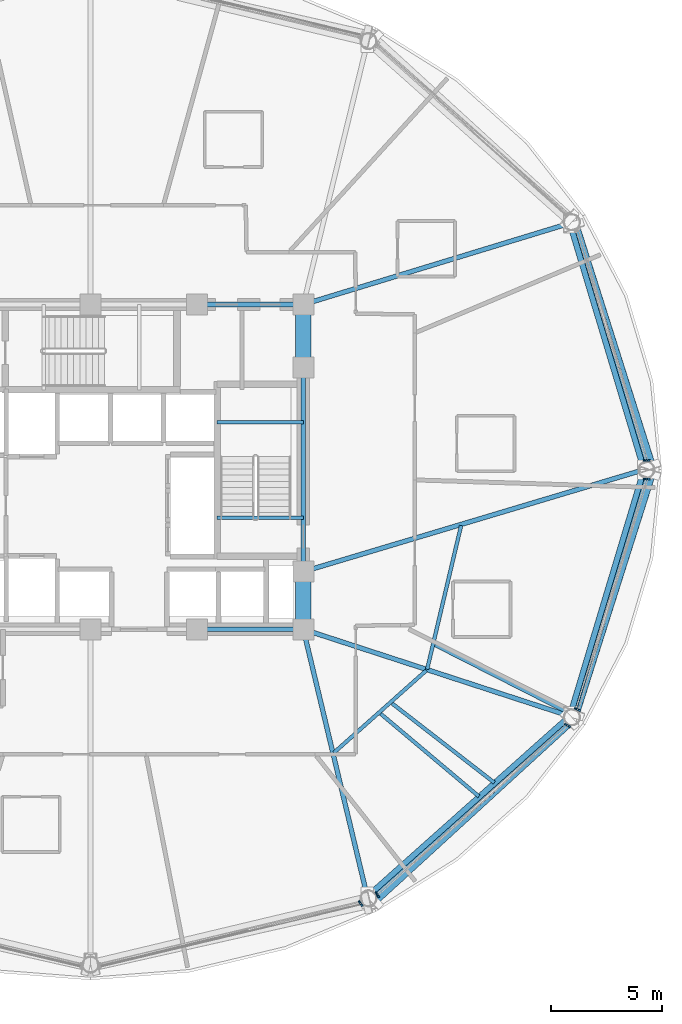
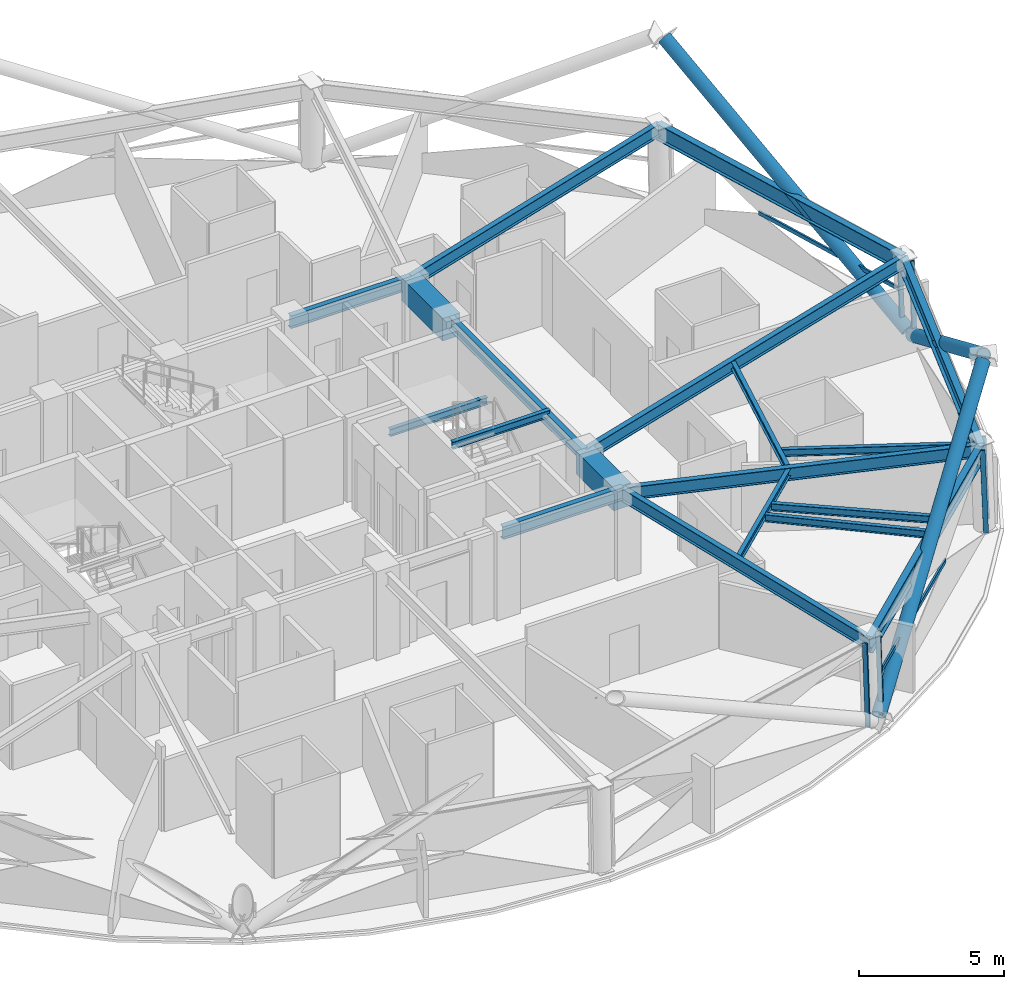
# One storey, part 4 of 15: 19 beams, 12 members, 4 elements without a shape of their own.
"""IFC4 building model written with IfcOpenShell, lengths in metres."""

from ifc_helpers import new_model, si_unit, direction, frame, origin, origin_2d, place, context, subcontext, project, spatial, rectangle, hollow_rectangle, hollow_circle, i_section, extrude, material, layer, layer_set, material_profile, profile_set, type_object, element, aggregate, save


model = new_model("IFC4")

# Units and contexts
model_context = context("Model", 3, precision=1e-05, world=origin(), true_north=direction((0.0, 1.0)))
body_context = subcontext(model_context, "Body", "Model", "MODEL_VIEW")
ifc_project = project(units=[si_unit("LENGTHUNIT", "METRE"), si_unit("AREAUNIT", "SQUARE_METRE"), si_unit("VOLUMEUNIT", "CUBIC_METRE"), si_unit("PLANEANGLEUNIT", "RADIAN"), si_unit("MASSUNIT", "GRAM", prefix="KILO")], contexts=[model_context])

# Site, building, storey
site_placement = place(None, origin())
site = spatial("IfcSite", under=ifc_project, at=site_placement, CompositionType="ELEMENT")
building_placement = place(site_placement, origin())
building = spatial("IfcBuilding", under=site, at=building_placement, Name="Vantalir Tower", CompositionType="ELEMENT")
storey_placement = place(building_placement, frame((0.0, 0.0, 134.699951171875)))
storey = spatial("IfcBuildingStorey", under=building, at=storey_placement, Name="L33", CompositionType="ELEMENT", Elevation=134.699951171875)

# Beams
ifc_material_1 = material(Name="Concrete C60/75", Category="concrete")
ifc_material_profile_1 = material_profile(ifc_material_1, rectangle(XDim=0.699951171875, YDim=0.949951171875, at=origin_2d()), Name="Concrete C60/75")
ifc_profile_set_1 = profile_set([ifc_material_profile_1], Name="Concrete C60/75")
beam_type_1 = type_object("IfcBeamType", Name="BM-CB-700x950", PredefinedType="USERDEFINED", material=ifc_profile_set_1)
beam_1_placement = place(storey_placement, frame((41.10009765625, 17.800048828125, 3.094970703125), z_axis=(0.0, 1.0, 0.0), x_axis=(-1.0, 0.0, 0.0)))
element("IfcBeam", 1, at=beam_1_placement, inside=storey, type_object=beam_type_1, Name="L33 Core Coupling Girder 05", ObjectType="GIRDER", PredefinedType="USERDEFINED", context=body_context, shape_type="SweptSolid", body=[
    extrude(rectangle(XDim=0.699951171875, YDim=0.949951171875, at=origin_2d()), origin(), (0.0, 0.0, 1.0), 2.599853515625),
])
beam_2_placement = place(storey_placement, frame((41.10009765625, 29.60009765625, 3.094970703125), z_axis=(0.0, 1.0, 0.0), x_axis=(-1.0, 0.0, 0.0)))
element("IfcBeam", 2, at=beam_2_placement, inside=storey, type_object=beam_type_1, Name="L33 Core Coupling Girder 07", ObjectType="GIRDER", PredefinedType="USERDEFINED", context=body_context, shape_type="SweptSolid", body=[
    extrude(rectangle(XDim=0.699951171875, YDim=0.949951171875, at=origin_2d()), origin(), (0.0, 0.0, 1.0), 2.849853515625),
])
ifc_material_2 = material(Name="Steel S355", Category="steel")
ifc_material_profile_2 = material_profile(ifc_material_2, i_section(OverallWidth=0.166015625, OverallDepth=0.306884765625, WebThickness=0.006591796875, FlangeThickness=0.01171875, at=origin_2d()), Name="Steel S355")
ifc_profile_set_2 = profile_set([ifc_material_profile_2], Name="Steel S355")
beam_type_2 = type_object("IfcBeamType", Name="BM-JS-305x165", PredefinedType="JOIST", material=ifc_profile_set_2)
for number, where, z_axis, x_axis, name in (
    (3, (37.2099609375, 22.8349609375, 3.595947265625), (1.0, 0.0, 0.0), (0.0, 1.0, 0.0), "L34 Stair ST2 Well Nosing Trimmer Beam"),
    (4, (37.2099609375, 27.14501953125, 1.52197265625), (1.0, 0.0, 0.0), (0.0, 1.0, 0.0), "L33 Stair ST2 Half-Landing Support Beam"),
):
    element("IfcBeam", number, at=place(storey_placement, frame(where, z_axis=z_axis, x_axis=x_axis)), inside=storey, type_object=beam_type_2, Name=name, PredefinedType="JOIST", context=body_context, shape_type="SweptSolid", body=[
        extrude(i_section(OverallWidth=0.166015625, OverallDepth=0.306884765625, WebThickness=0.006591796875, FlangeThickness=0.01171875, at=origin_2d()), origin(), (0.0, 0.0, 1.0), 3.89013671875),
    ])
beam_3_placement = place(storey_placement, frame((42.48095703125, 12.23291015625, 3.3359375), z_axis=(0.746819569965, 0.665026713686, 0.0), x_axis=(-0.665026713686, 0.746819569965, 0.0)))
element("IfcBeam", 5, at=beam_3_placement, inside=storey, type_object=beam_type_2, Name="L33 Sky Garden SG2 Planter Sub-Girder 1", PredefinedType="JOIST", context=body_context, shape_type="SweptSolid", body=[
    extrude(i_section(OverallWidth=0.166015625, OverallDepth=0.306884765625, WebThickness=0.006591796875, FlangeThickness=0.01171875, at=origin_2d()), origin(), (0.0, 0.0, 1.0), 5.57568359375),
])
beam_4_placement = place(storey_placement, frame((46.68603515625, 15.9951171875, 3.3359375), z_axis=(0.229944052837, 0.97320384944, 0.0), x_axis=(-0.97320384944, 0.229944052837, 0.0)))
element("IfcBeam", 6, at=beam_4_placement, inside=storey, type_object=beam_type_2, Name="L33 Sky Garden SG2 Planter Sub-Girder 2", PredefinedType="JOIST", context=body_context, shape_type="SweptSolid", body=[
    extrude(i_section(OverallWidth=0.166015625, OverallDepth=0.306884765625, WebThickness=0.006591796875, FlangeThickness=0.01171875, at=origin_2d()), origin(), (0.0, 0.0, 1.0), 6.662353515625),
])
beam_5_placement = place(storey_placement, frame((44.592041015625, 13.987060546875, 3.3359375), z_axis=(0.765188832514, -0.643805910656, 0.0), x_axis=(0.643805910656, 0.765188832514, 0.0)))
element("IfcBeam", 7, at=beam_5_placement, inside=storey, type_object=beam_type_2, Name="L33 Sky Garden SG2 Pier Tie Beam M1", PredefinedType="JOIST", context=body_context, shape_type="SweptSolid", body=[
    extrude(i_section(OverallWidth=0.166015625, OverallDepth=0.306884765625, WebThickness=0.006591796875, FlangeThickness=0.01171875, at=origin_2d()), origin(), (0.0, 0.0, 1.0), 5.79052734375),
])
beam_6_placement = place(storey_placement, frame((45.111083984375, 14.449951171875, 3.3359375), z_axis=(0.790314619389, -0.612701234192, 0.0), x_axis=(0.612701234192, 0.790314619389, 0.0)))
element("IfcBeam", 8, at=beam_6_placement, inside=storey, type_object=beam_type_2, Name="L33 Sky Garden SG2 Pier Tie Beam M2", PredefinedType="JOIST", context=body_context, shape_type="SweptSolid", body=[
    extrude(i_section(OverallWidth=0.166015625, OverallDepth=0.306884765625, WebThickness=0.006591796875, FlangeThickness=0.01171875, at=origin_2d()), origin(), (0.0, 0.0, 1.0), 5.82666015625),
])
beam_7_placement = place(storey_placement, frame((47.0400390625, 17.093994140625, 3.3359375), z_axis=(0.891341837577, -0.453331808485, 0.0), x_axis=(0.453331808485, 0.891341837577, 0.0)))
element("IfcBeam", 9, at=beam_7_placement, inside=storey, type_object=beam_type_2, Name="L33 Sky Garden SG2 Pier Tie Beam T2", PredefinedType="JOIST", context=body_context, shape_type="SweptSolid", body=[
    extrude(i_section(OverallWidth=0.166015625, OverallDepth=0.306884765625, WebThickness=0.006591796875, FlangeThickness=0.01171875, at=origin_2d()), origin(), (0.0, 0.0, 1.0), 6.835693359375),
])
ifc_material_profile_3 = material_profile(ifc_material_2, i_section(OverallWidth=0.2109375, OverallDepth=0.5390625, WebThickness=0.01171875, FlangeThickness=0.018798828125, at=origin_2d()), Name="Steel S355")
ifc_profile_set_3 = profile_set([ifc_material_profile_3], Name="Steel S355")
beam_type_3 = type_object("IfcBeamType", Name="BM-RB-533x210", PredefinedType="BEAM", material=ifc_profile_set_3)
beam_8_placement = place(storey_placement, frame((36.300048828125, 17.800048828125, 3.301025390625), z_axis=(1.0, 0.0, 0.0), x_axis=(0.0, 1.0, 0.0)))
element("IfcBeam", 10, at=beam_8_placement, inside=storey, type_object=beam_type_3, Name="L33 Core Coupling Girder 04", PredefinedType="BEAM", context=body_context, shape_type="SweptSolid", body=[
    extrude(i_section(OverallWidth=0.2109375, OverallDepth=0.5390625, WebThickness=0.01171875, FlangeThickness=0.018798828125, at=origin_2d()), origin(), (0.0, 0.0, 1.0), 4.800048828125),
])
beam_9_placement = place(storey_placement, frame((41.10009765625, 20.39990234375, 3.301025390625), z_axis=(0.0, 1.0, 0.0), x_axis=(-1.0, 0.0, 0.0)))
element("IfcBeam", 11, at=beam_9_placement, inside=storey, type_object=beam_type_3, Name="L33 Core Coupling Girder 06", PredefinedType="BEAM", context=body_context, shape_type="SweptSolid", body=[
    extrude(i_section(OverallWidth=0.2109375, OverallDepth=0.5390625, WebThickness=0.01171875, FlangeThickness=0.018798828125, at=origin_2d()), origin(), (0.0, 0.0, 1.0), 9.2001953125),
])
beam_10_placement = place(storey_placement, frame((41.10009765625, 32.449951171875, 3.301025390625), z_axis=(-1.0, 0.0, 0.0), x_axis=(0.0, -1.0, 0.0)))
element("IfcBeam", 12, at=beam_10_placement, inside=storey, type_object=beam_type_3, Name="L33 Core Coupling Girder 08", PredefinedType="BEAM", context=body_context, shape_type="SweptSolid", body=[
    extrude(i_section(OverallWidth=0.2109375, OverallDepth=0.5390625, WebThickness=0.01171875, FlangeThickness=0.018798828125, at=origin_2d()), origin(), (0.0, 0.0, 1.0), 4.800048828125),
])
beam_11_placement = place(storey_placement, frame((56.468994140625, 25.0, 3.301025390625), z_axis=(-0.95800745753, -0.286743284694, 0.0), x_axis=(0.286743284694, -0.95800745753, 0.0)))
element("IfcBeam", 13, at=beam_11_placement, inside=storey, type_object=beam_type_3, Name="L33 Radial Floor Beam 01", PredefinedType="BEAM", context=body_context, shape_type="SweptSolid", body=[
    extrude(i_section(OverallWidth=0.2109375, OverallDepth=0.5390625, WebThickness=0.01171875, FlangeThickness=0.018798828125, at=origin_2d()), origin(), (0.0, 0.0, 1.0), 16.04248046875),
])
beam_12_placement = place(storey_placement, frame((53.1240234375, 36.116943359375, 3.301025390625), z_axis=(-0.956506725428, -0.291710274435, 0.0), x_axis=(0.291710274435, -0.956506725428, 0.0)))
element("IfcBeam", 14, at=beam_12_placement, inside=storey, type_object=beam_type_3, Name="L33 Radial Floor Beam 02", PredefinedType="BEAM", context=body_context, shape_type="SweptSolid", body=[
    extrude(i_section(OverallWidth=0.2109375, OverallDepth=0.5390625, WebThickness=0.01171875, FlangeThickness=0.018798828125, at=origin_2d()), origin(), (0.0, 0.0, 1.0), 12.570556640625),
])
beam_13_placement = place(storey_placement, frame((43.985107421875, 5.743896484375, 3.260009765625), z_axis=(-0.232727102001, 0.972542079292, 0.0), x_axis=(-0.972542079292, -0.232727102001, 0.0)))
element("IfcBeam", 15, at=beam_13_placement, inside=storey, type_object=beam_type_3, Name="L33 Radial Floor Beam 11", PredefinedType="BEAM", context=body_context, shape_type="SweptSolid", body=[
    extrude(i_section(OverallWidth=0.2109375, OverallDepth=0.5390625, WebThickness=0.01171875, FlangeThickness=0.018798828125, at=origin_2d()), origin(), (0.0, 0.0, 1.0), 12.396484375),
])
beam_14_placement = place(storey_placement, frame((53.1240234375, 13.882080078125, 3.260009765625), z_axis=(-0.950796862904, 0.309814985906, 0.0), x_axis=(-0.309814985906, -0.950796862904, 0.0)))
element("IfcBeam", 16, at=beam_14_placement, inside=storey, type_object=beam_type_3, Name="L33 Radial Floor Beam 12", PredefinedType="BEAM", context=body_context, shape_type="SweptSolid", body=[
    extrude(i_section(OverallWidth=0.2109375, OverallDepth=0.5390625, WebThickness=0.01171875, FlangeThickness=0.018798828125, at=origin_2d()), origin(), (0.0, 0.0, 1.0), 12.646240234375),
])
ifc_material_3 = material(Name="Steel S460", Category="steel")
ifc_material_profile_4 = material_profile(ifc_material_3, i_section(OverallWidth=0.256103515625, OverallDepth=0.693115234375, WebThickness=0.014404296875, FlangeThickness=0.023681640625, at=origin_2d()), Name="Steel S460")
ifc_profile_set_4 = profile_set([ifc_material_profile_4], Name="Steel S460")
beam_type_4 = type_object("IfcBeamType", Name="BM-RG-686x254", PredefinedType="USERDEFINED", material=ifc_profile_set_4)
beam_15_placement = place(storey_placement, frame((56.468994140625, 25.0, 3.22412109375), z_axis=(-0.288129172108, 0.957591551853, 0.0), x_axis=(-0.957591551853, -0.288129172108, 0.0)))
element("IfcBeam", 17, at=beam_15_placement, inside=storey, type_object=beam_type_4, Name="L33 Circumferential Ring Girder 01", ObjectType="GIRDER", PredefinedType="USERDEFINED", context=body_context, shape_type="SweptSolid", body=[
    extrude(i_section(OverallWidth=0.256103515625, OverallDepth=0.693115234375, WebThickness=0.014404296875, FlangeThickness=0.023681640625, at=origin_2d()), origin(), (0.0, 0.0, 1.0), 11.609375),
])
beam_16_placement = place(storey_placement, frame((43.985107421875, 5.743896484375, 3.18408203125), z_axis=(0.746812424308, 0.665034738115, 0.0), x_axis=(-0.665034738115, 0.746812424308, 0.0)))
element("IfcBeam", 18, at=beam_16_placement, inside=storey, type_object=beam_type_4, Name="L33 Circumferential Ring Girder 11", ObjectType="GIRDER", PredefinedType="USERDEFINED", context=body_context, shape_type="SweptSolid", body=[
    extrude(i_section(OverallWidth=0.256103515625, OverallDepth=0.693115234375, WebThickness=0.014404296875, FlangeThickness=0.023681640625, at=origin_2d()), origin(), (0.0, 0.0, 1.0), 12.2373046875),
])
beam_17_placement = place(storey_placement, frame((53.1240234375, 13.882080078125, 3.18408203125), z_axis=(0.288105964569, 0.95759853445, 0.0), x_axis=(-0.95759853445, 0.288105964569, 0.0)))
element("IfcBeam", 19, at=beam_17_placement, inside=storey, type_object=beam_type_4, Name="L33 Circumferential Ring Girder 12", ObjectType="GIRDER", PredefinedType="USERDEFINED", context=body_context, shape_type="SweptSolid", body=[
    extrude(i_section(OverallWidth=0.256103515625, OverallDepth=0.693115234375, WebThickness=0.014404296875, FlangeThickness=0.023681640625, at=origin_2d()), origin(), (0.0, 0.0, 1.0), 11.610107421875),
])

# Curtain wall, member
ifc_material_4 = material(Name="Champagne-silver PVDF aluminium and double-silver Low-E glass", Category="aluminium")
ifc_layer = layer(ifc_material_4, 0.199951171875)
ifc_layer_set = layer_set([ifc_layer], Name="Champagne-silver PVDF aluminium and double-silver Low-E glass")
curtain_wall_type = type_object("IfcCurtainWallType", Name="CW-DIAMOND-Z2", PredefinedType="USERDEFINED", material=ifc_layer_set)
curtain_wall_1_placement = place(storey_placement, origin())
curtain_wall_1 = element("IfcCurtainWall", 20, at=curtain_wall_1_placement, inside=storey, type_object=curtain_wall_type, Name="L33 Quilted Pyramid-Diamond Curtain Wall S01", ObjectType="UNITISED CURTAIN WALL", PredefinedType="USERDEFINED")
ifc_material_5 = material(Name="Champagne-silver PVDF aluminium 6063-T6", Category="aluminium")
ifc_material_profile_5 = material_profile(ifc_material_5, hollow_rectangle(XDim=0.074951171875, YDim=0.179931640625, WallThickness=0.00390625, at=origin_2d()), Name="Champagne-silver PVDF aluminium 6063-T6")
ifc_profile_set_5 = profile_set([ifc_material_profile_5], Name="Champagne-silver PVDF aluminium 6063-T6")
member_type_1 = type_object("IfcMemberType", Name="CWM-180x75", PredefinedType="MULLION", material=ifc_profile_set_5)
member_1_placement = place(storey_placement, frame((56.656005859375, 25.4208984375, 0.045166015625), z_axis=(-0.035616506926, 0.0, 0.999365530942), x_axis=(0.0, -1.0, 0.0)))
member_1 = element("IfcMember", 21, at=member_1_placement, type_object=member_type_1, Name="CW-L33-S01 Mullion 1", PredefinedType="MULLION", context=body_context, shape_type="SweptSolid", body=[
    extrude(hollow_rectangle(XDim=0.074951171875, YDim=0.179931640625, WallThickness=0.00390625, at=origin_2d()), origin(), (0.0, 0.0, 1.0), 3.482177734375),
])

curtain_wall_2_placement = place(storey_placement, origin())
curtain_wall_2 = element("IfcCurtainWall", 22, at=curtain_wall_2_placement, inside=storey, type_object=curtain_wall_type, Name="L33 Quilted Pyramid-Diamond Curtain Wall S10", ObjectType="UNITISED CURTAIN WALL", PredefinedType="USERDEFINED")
member_2_placement = place(storey_placement, frame((43.714111328125, 5.382080078125, 0.045166015625), z_axis=(-0.017810101984, 0.02727610107, 0.99946926645), x_axis=(-0.837310723629, -0.546727310545, 0.0)))
member_2 = element("IfcMember", 23, at=member_2_placement, type_object=member_type_1, Name="CW-L33-S10 Mullion 2", PredefinedType="MULLION", context=body_context, shape_type="SweptSolid", body=[
    extrude(hollow_rectangle(XDim=0.074951171875, YDim=0.179931640625, WallThickness=0.00390625, at=origin_2d()), origin(), (0.0, 0.0, 1.0), 3.48193359375),
])
aggregate(curtain_wall_2, [member_2])

# Curtain wall, members
curtain_wall_3_placement = place(storey_placement, origin())
curtain_wall_3 = element("IfcCurtainWall", 24, at=curtain_wall_3_placement, inside=storey, type_object=curtain_wall_type, Name="L33 Quilted Pyramid-Diamond Curtain Wall S11", ObjectType="UNITISED CURTAIN WALL", PredefinedType="USERDEFINED")
member_3_placement = place(storey_placement, frame((44.469970703125, 5.777099609375, 0.045166015625), z_axis=(-0.017810101984, 0.02727610107, 0.99946926645), x_axis=(-0.837310723629, -0.546727310545, 0.0)))
member_3 = element("IfcMember", 25, at=member_3_placement, type_object=member_type_1, Name="CW-L33-S11 Mullion 1", PredefinedType="MULLION", context=body_context, shape_type="SweptSolid", body=[
    extrude(hollow_rectangle(XDim=0.074951171875, YDim=0.179931640625, WallThickness=0.00390625, at=origin_2d()), origin(), (0.0, 0.0, 1.0), 3.48193359375),
])
member_4_placement = place(storey_placement, frame((53.068115234375, 13.43896484375, 0.045166015625), z_axis=(-0.031060130958, 0.015775461548, 0.999393017325), x_axis=(-0.452840062029, -0.891591766573, 0.0)))
member_4 = element("IfcMember", 26, at=member_4_placement, type_object=member_type_1, Name="CW-L33-S11 Mullion 2", PredefinedType="MULLION", context=body_context, shape_type="SweptSolid", body=[
    extrude(hollow_rectangle(XDim=0.074951171875, YDim=0.179931640625, WallThickness=0.00390625, at=origin_2d()), origin(), (0.0, 0.0, 1.0), 3.482177734375),
])

curtain_wall_4_placement = place(storey_placement, origin())
curtain_wall_4 = element("IfcCurtainWall", 27, at=curtain_wall_4_placement, inside=storey, type_object=curtain_wall_type, Name="L33 Quilted Pyramid-Diamond Curtain Wall S12", ObjectType="UNITISED CURTAIN WALL", PredefinedType="USERDEFINED")
member_5_placement = place(storey_placement, frame((53.52294921875, 14.153076171875, 0.045166015625), z_axis=(-0.030990085207, 0.015775495863, 0.999395191278), x_axis=(-0.453653926964, -0.891177936525, 0.0)))
member_5 = element("IfcMember", 28, at=member_5_placement, type_object=member_type_1, Name="CW-L33-S12 Mullion 1", PredefinedType="MULLION", context=body_context, shape_type="SweptSolid", body=[
    extrude(hollow_rectangle(XDim=0.074951171875, YDim=0.179931640625, WallThickness=0.00390625, at=origin_2d()), origin(), (0.0, 0.0, 1.0), 3.482177734375),
])
member_6_placement = place(storey_placement, frame((56.656005859375, 24.5791015625, 0.045166015625), z_axis=(-0.035616506926, 0.0, 0.999365530942), x_axis=(0.0, -1.0, 0.0)))
member_6 = element("IfcMember", 29, at=member_6_placement, type_object=member_type_1, Name="CW-L33-S12 Mullion 2", PredefinedType="MULLION", context=body_context, shape_type="SweptSolid", body=[
    extrude(hollow_rectangle(XDim=0.074951171875, YDim=0.179931640625, WallThickness=0.00390625, at=origin_2d()), origin(), (0.0, 0.0, 1.0), 3.482177734375),
])

# Member
ifc_material_profile_6 = material_profile(ifc_material_5, hollow_rectangle(XDim=0.074951171875, YDim=0.159912109375, WallThickness=0.00390625, at=origin_2d()), Name="Champagne-silver PVDF aluminium 6063-T6")
ifc_profile_set_6 = profile_set([ifc_material_profile_6], Name="Champagne-silver PVDF aluminium 6063-T6")
member_type_2 = type_object("IfcMemberType", Name="CWT-160x75", PredefinedType="USERDEFINED", material=ifc_profile_set_6)
member_7_placement = place(storey_placement, frame((56.593994140625, 25.4208984375, 1.78515625), z_axis=(-0.284498291334, 0.95867654724, 0.0), x_axis=(-0.95867654724, -0.284498291334, 0.0)))
member_7 = element("IfcMember", 30, at=member_7_placement, type_object=member_type_2, Name="CW-L33-S01 Pyramid Fold Ridge Transom", ObjectType="TRANSOM", PredefinedType="USERDEFINED", context=body_context, shape_type="SweptSolid", body=[
    extrude(hollow_rectangle(XDim=0.074951171875, YDim=0.159912109375, WallThickness=0.00390625, at=origin_2d()), origin(), (0.0, 0.0, 1.0), 6.731201171875),
])

aggregate(curtain_wall_1, [member_1, member_7])

member_8_placement = place(storey_placement, frame((44.43896484375, 5.823974609375, 1.78515625), z_axis=(0.748666883824, 0.662946375709, 0.0), x_axis=(-0.662946375709, 0.748666883824, 0.0)))
member_8 = element("IfcMember", 31, at=member_8_placement, type_object=member_type_2, Name="CW-L33-S11 Pyramid Fold Ridge Transom", ObjectType="TRANSOM", PredefinedType="USERDEFINED", context=body_context, shape_type="SweptSolid", body=[
    extrude(hollow_rectangle(XDim=0.074951171875, YDim=0.159912109375, WallThickness=0.00390625, at=origin_2d()), origin(), (0.0, 0.0, 1.0), 7.1259765625),
])

aggregate(curtain_wall_3, [member_3, member_4, member_8])

member_9_placement = place(storey_placement, frame((53.468994140625, 14.180908203125, 1.78515625), z_axis=(0.293287319911, 0.956024344868, 0.0), x_axis=(-0.956024344868, 0.293287319911, 0.0)))
member_9 = element("IfcMember", 32, at=member_9_placement, type_object=member_type_2, Name="CW-L33-S12 Pyramid Fold Ridge Transom", ObjectType="TRANSOM", PredefinedType="USERDEFINED", context=body_context, shape_type="SweptSolid", body=[
    extrude(hollow_rectangle(XDim=0.074951171875, YDim=0.159912109375, WallThickness=0.00390625, at=origin_2d()), origin(), (0.0, 0.0, 1.0), 4.12548828125),
])

aggregate(curtain_wall_4, [member_5, member_6, member_9])

# Members
ifc_material_profile_7 = material_profile(ifc_material_3, hollow_circle(Radius=0.260009765625, WallThickness=0.0380859375, at=origin_2d()), Name="Steel S460")
ifc_profile_set_7 = profile_set([ifc_material_profile_7], Name="Steel S460")
member_type_3 = type_object("IfcMemberType", Name="MEM-DB-520x38", PredefinedType="BRACE", material=ifc_profile_set_7)
for number, where, z_axis, x_axis, name in (
    (33, (56.72607421875, 25.178955078125, 0.195068359375), (-0.258089323855, 0.813717143064, 0.520820806031), (-0.953203145042, -0.302330554662, 0.0), "L33 Perimeter S460 Diagrid Brace R01L"),
    (34, (56.72607421875, 24.821044921875, 0.195068359375), (-0.258089323855, -0.813717143064, 0.520820806031), (0.953203145042, -0.302330554662, 0.0), "L33 Perimeter S460 Diagrid Brace R01R"),
):
    element("IfcMember", number, at=place(storey_placement, frame(where, z_axis=z_axis, x_axis=x_axis)), inside=storey, type_object=member_type_3, Name=name, PredefinedType="BRACE", context=body_context, shape_type="SweptSolid", body=[
        extrude(hollow_circle(Radius=0.260009765625, WallThickness=0.0380859375, at=origin_2d()), origin(), (0.0, 0.0, 1.0), 13.305908203125),
    ])
member_10_placement = place(storey_placement, frame((44.281982421875, 5.613037109375, 0.18994140625), z_axis=(0.637671704627, 0.584129044737, 0.502163376016), x_axis=(-0.675471135285, 0.737386428812, 0.0)))
element("IfcMember", 35, at=member_10_placement, inside=storey, type_object=member_type_3, Name="L33 Perimeter S460 Diagrid Brace R31L", PredefinedType="BRACE", context=body_context, shape_type="SweptSolid", body=[
    extrude(hollow_circle(Radius=0.260009765625, WallThickness=0.0380859375, at=origin_2d()), origin(), (0.0, 0.0, 1.0), 13.820556640625),
])

save(model, "model.ifc")
